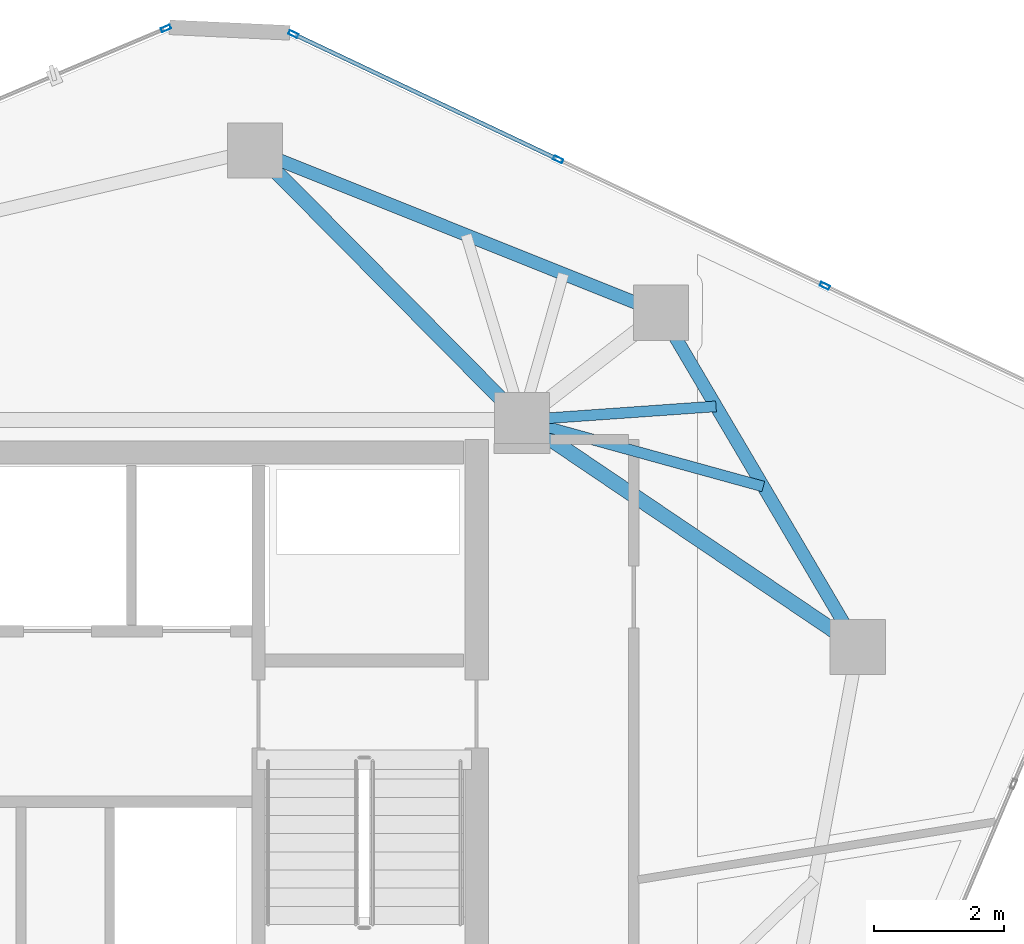
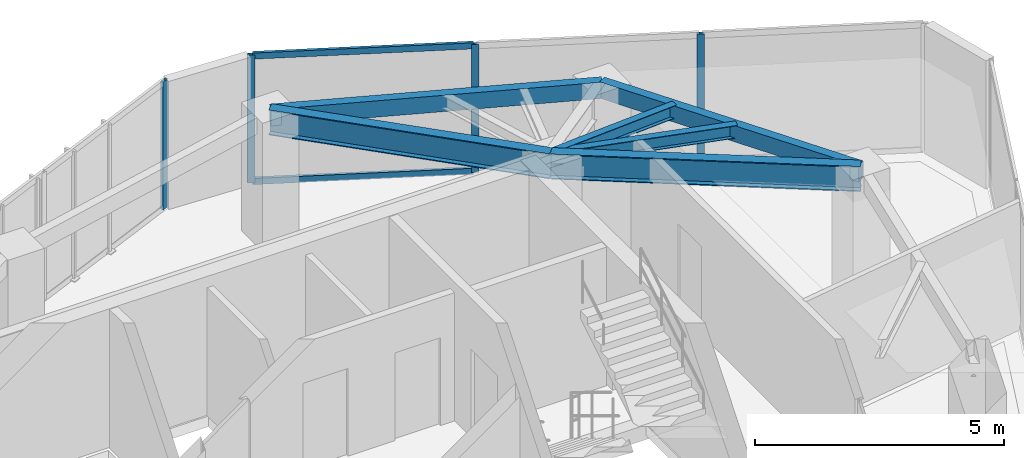
# One storey, part 14 of 20: 6 beams, 6 members, 2 elements without a shape of their own.
"""IFC4 building model written with IfcOpenShell, lengths in metres."""

from ifc_helpers import new_model, si_unit, direction, frame, origin, origin_2d, place, context, subcontext, project, spatial, hollow_rectangle, i_section, extrude, source, transform, mapped, material, layer, layer_set, material_profile, profile_set, type_object, type_shapes, element, aggregate, save


model = new_model("IFC4")

# Units and contexts
model_context = context("Model", 3, precision=1e-05, world=origin(), true_north=direction((0.0, 1.0)))
body_context = subcontext(model_context, "Body", "Model", "MODEL_VIEW")
ifc_project = project(units=[si_unit("LENGTHUNIT", "METRE"), si_unit("AREAUNIT", "SQUARE_METRE"), si_unit("VOLUMEUNIT", "CUBIC_METRE"), si_unit("PLANEANGLEUNIT", "RADIAN"), si_unit("MASSUNIT", "GRAM", prefix="KILO")], contexts=[model_context])

# Site, building, storey
site_placement = place(None, origin())
site = spatial("IfcSite", under=ifc_project, at=site_placement, CompositionType="ELEMENT")
building_placement = place(site_placement, origin())
building = spatial("IfcBuilding", under=site, at=building_placement, Name="Talar Marvaseh", CompositionType="ELEMENT")
storey_placement = place(building_placement, frame((0.0, 0.0, 274.800048828125)))
storey = spatial("IfcBuildingStorey", under=building, at=storey_placement, Name="L73", CompositionType="ELEMENT", Elevation=274.800048828125)

# Beams
ifc_material_1 = material(Name="Steel S355", Category="steel")
ifc_material_profile_1 = material_profile(ifc_material_1, hollow_rectangle(XDim=0.199951171875, YDim=0.39990234375, WallThickness=0.013916015625, at=origin_2d()), Name="RHS400x200x14")
ifc_profile_set_1 = profile_set([ifc_material_profile_1], Name="Steel S355")
beam_type_1 = type_object("IfcBeamType", Name="Zone 3 Perimeter Spandrel Beam RHS400x200x14", PredefinedType="SPANDREL", material=ifc_profile_set_1)
beam_1_placement = place(storey_placement, frame((29.18798828125, 41.052001953125, 2.93994140625), z_axis=(0.928426659475, -0.371515730456, 0.0), x_axis=(0.371515730456, 0.928426659475, 0.0)))
element("IfcBeam", 1, at=beam_1_placement, inside=storey, type_object=beam_type_1, Name="L73 Zone 3 Perimeter Spandrel Beam RHS400x200x14", PredefinedType="SPANDREL", context=body_context, shape_type="SweptSolid", body=[
    extrude(hollow_rectangle(XDim=0.199951171875, YDim=0.39990234375, WallThickness=0.013916015625, at=origin_2d()), origin(), (0.0, 0.0, 1.0), 6.73193359375),
])
beam_2_placement = place(storey_placement, frame((35.43798828125, 38.551025390625, 2.93994140625), z_axis=(0.507825587611, -0.861459907696, 0.0), x_axis=(0.861459907696, 0.507825587611, 0.0)))
element("IfcBeam", 2, at=beam_2_placement, inside=storey, type_object=beam_type_1, Name="L73 Zone 3 Perimeter Spandrel Beam RHS400x200x14", PredefinedType="SPANDREL", context=body_context, shape_type="SweptSolid", body=[
    extrude(hollow_rectangle(XDim=0.199951171875, YDim=0.39990234375, WallThickness=0.013916015625, at=origin_2d()), origin(), (0.0, 0.0, 1.0), 5.972412109375),
])
ifc_material_profile_2 = material_profile(ifc_material_1, i_section(OverallWidth=0.166015625, OverallDepth=0.31298828125, WebThickness=0.006591796875, FlangeThickness=0.01123046875, at=origin_2d()), Name="W310x45")
ifc_profile_set_2 = profile_set([ifc_material_profile_2], Name="Steel S355")
beam_type_2 = type_object("IfcBeamType", Name="Zone 3 Secondary Floor Joist W310x45", PredefinedType="JOIST", material=ifc_profile_set_2)
beam_3_placement = place(storey_placement, frame((36.287109375, 37.1103515625, 2.9833984375), z_axis=(-0.99752734531, -0.070279409208, 0.0), x_axis=(0.070279409208, -0.99752734531, 0.0)))
element("IfcBeam", 3, at=beam_3_placement, inside=storey, type_object=beam_type_2, Name="L73 Zone 3 Secondary Floor Joist W310x45", PredefinedType="JOIST", context=body_context, shape_type="SweptSolid", body=[
    extrude(i_section(OverallWidth=0.166015625, OverallDepth=0.31298828125, WebThickness=0.006591796875, FlangeThickness=0.01123046875, at=origin_2d()), origin(), (0.0, 0.0, 1.0), 2.994384765625),
])
beam_4_placement = place(storey_placement, frame((37.01513671875, 35.87548828125, 2.9833984375), z_axis=(-0.964021733175, 0.265823433818, 0.0), x_axis=(-0.265823433818, -0.964021733175, 0.0)))
element("IfcBeam", 4, at=beam_4_placement, inside=storey, type_object=beam_type_2, Name="L73 Zone 3 Secondary Floor Joist W310x45", PredefinedType="JOIST", context=body_context, shape_type="SweptSolid", body=[
    extrude(i_section(OverallWidth=0.166015625, OverallDepth=0.31298828125, WebThickness=0.006591796875, FlangeThickness=0.01123046875, at=origin_2d()), origin(), (0.0, 0.0, 1.0), 3.853759765625),
])
ifc_material_profile_3 = material_profile(ifc_material_1, i_section(OverallWidth=0.22998046875, OverallDepth=0.616943359375, WebThickness=0.01318359375, FlangeThickness=0.022216796875, at=origin_2d()), Name="W610x140")
ifc_profile_set_3 = profile_set([ifc_material_profile_3], Name="Steel S355")
beam_type_3 = type_object("IfcBeamType", Name="Zone 4 Radial Floor Girder W610x140", PredefinedType="BEAM", material=ifc_profile_set_3)
beam_5_placement = place(storey_placement, frame((29.18798828125, 41.052001953125, 2.83154296875), z_axis=(0.703672658083, -0.710524306598, 0.0), x_axis=(0.710524306598, 0.703672658083, 0.0)))
element("IfcBeam", 5, at=beam_5_placement, inside=storey, type_object=beam_type_3, Name="L73 Zone 4 Radial Floor Girder W610x140", PredefinedType="BEAM", context=body_context, shape_type="SweptSolid", body=[
    extrude(i_section(OverallWidth=0.22998046875, OverallDepth=0.616943359375, WebThickness=0.01318359375, FlangeThickness=0.022216796875, at=origin_2d()), origin(), (0.0, 0.0, 1.0), 5.84375),
])
beam_6_placement = place(storey_placement, frame((38.470947265625, 33.406005859375, 2.83154296875), z_axis=(-0.828585535277, 0.559862492698, 0.0), x_axis=(-0.559862492698, -0.828585535277, 0.0)))
element("IfcBeam", 6, at=beam_6_placement, inside=storey, type_object=beam_type_3, Name="L73 Zone 4 Radial Floor Girder W610x140", PredefinedType="BEAM", context=body_context, shape_type="SweptSolid", body=[
    extrude(i_section(OverallWidth=0.22998046875, OverallDepth=0.616943359375, WebThickness=0.01318359375, FlangeThickness=0.022216796875, at=origin_2d()), origin(), (0.0, 0.0, 1.0), 6.24072265625),
])

# Curtain wall, member
ifc_material_2 = material(Name="Architectural Aluminium", Category="aluminium")
ifc_layer = layer(ifc_material_2, 0.179931640625)
ifc_layer_set = layer_set([ifc_layer], Name="Architectural Aluminium")
curtain_wall_type = type_object("IfcCurtainWallType", Name="Unitised High-Wind Sky Curtain Wall Z4", PredefinedType="NOTDEFINED", material=ifc_layer_set)
curtain_wall_1_placement = place(storey_placement, origin())
curtain_wall_1 = element("IfcCurtainWall", 7, at=curtain_wall_1_placement, inside=storey, type_object=curtain_wall_type, Name="L73 Unitised High-Wind Sky Curtain Wall Z4", PredefinedType="NOTDEFINED")
ifc_material_profile_4 = material_profile(ifc_material_2, hollow_rectangle(XDim=0.06494140625, YDim=0.14990234375, WallThickness=0.00390625, at=origin_2d()), Name="RHS150x65x4")
ifc_profile_set_4 = profile_set([ifc_material_profile_4], Name="Architectural Aluminium")
member_type_1 = type_object("IfcMemberType", Name="Unitised Curtain Wall Slim Mullion RHS150x65x4", PredefinedType="MULLION", material=ifc_profile_set_4)
shared_shape_1 = source(origin(), body_context, "Body", "SweptSolid", [
    extrude(hollow_rectangle(XDim=0.06494140625, YDim=0.14990234375, WallThickness=0.00390625, at=origin_2d()), origin(), (0.0, 0.0, 1.0), 3.139892578125),
])
type_shapes(member_type_1, [shared_shape_1])
member_1_placement = place(storey_placement, frame((27.814208984375, 42.931396484375, 0.0), z_axis=(0.0, 0.0, 1.0), x_axis=(-0.389637585446, 0.92096826873, 0.0)))
member_1 = element("IfcMember", 8, at=member_1_placement, type_object=member_type_1, Name="CW-Z4 mullion 4", PredefinedType="MULLION", context=body_context, shape_type="MappedRepresentation", body=[
    mapped(shared_shape_1, transform((0.0, 0.0, 0.0), x_axis=(1.0, 0.0, 0.0), y_axis=(0.0, 1.0, 0.0), z_axis=(0.0, 0.0, 1.0), scale=1.0)),
])
aggregate(curtain_wall_1, [member_1])

# Curtain wall, members
curtain_wall_2_placement = place(storey_placement, origin())
curtain_wall_2 = element("IfcCurtainWall", 9, at=curtain_wall_2_placement, inside=storey, type_object=curtain_wall_type, Name="L73 Unitised High-Wind Sky Curtain Wall Z4", PredefinedType="NOTDEFINED")
member_2_placement = place(storey_placement, frame((29.777099609375, 42.843994140625, 0.0), z_axis=(0.0, 0.0, 1.0), x_axis=(0.42809044326, 0.903735897478, 0.0)))
member_2 = element("IfcMember", 10, at=member_2_placement, type_object=member_type_1, Name="CW-Z4 mullion 1", PredefinedType="MULLION", context=body_context, shape_type="MappedRepresentation", body=[
    mapped(shared_shape_1, transform((0.0, 0.0, 0.0), x_axis=(1.0, 0.0, 0.0), y_axis=(0.0, 1.0, 0.0), z_axis=(0.0, 0.0, 1.0), scale=1.0)),
])
member_3_placement = place(storey_placement, frame((33.855224609375, 40.912353515625, 0.0), z_axis=(0.0, 0.0, 1.0), x_axis=(0.42809044326, 0.903735897478, 0.0)))
member_3 = element("IfcMember", 11, at=member_3_placement, type_object=member_type_1, Name="CW-Z4 mullion 2", PredefinedType="MULLION", context=body_context, shape_type="MappedRepresentation", body=[
    mapped(shared_shape_1, transform((0.0, 0.0, 0.0), x_axis=(1.0, 0.0, 0.0), y_axis=(0.0, 1.0, 0.0), z_axis=(0.0, 0.0, 1.0), scale=1.0)),
])
member_4_placement = place(storey_placement, frame((37.962646484375, 38.966552734375, 0.0), z_axis=(0.0, 0.0, 1.0), x_axis=(0.42809044326, 0.903735897478, 0.0)))
member_4 = element("IfcMember", 12, at=member_4_placement, type_object=member_type_1, Name="CW-Z4 mullion 3", PredefinedType="MULLION", context=body_context, shape_type="MappedRepresentation", body=[
    mapped(shared_shape_1, transform((0.0, 0.0, 0.0), x_axis=(1.0, 0.0, 0.0), y_axis=(0.0, 1.0, 0.0), z_axis=(0.0, 0.0, 1.0), scale=1.0)),
])
ifc_material_profile_5 = material_profile(ifc_material_2, hollow_rectangle(XDim=0.06494140625, YDim=0.14990234375, WallThickness=0.00390625, at=origin_2d()), Name="RHS150x65x4")
ifc_profile_set_5 = profile_set([ifc_material_profile_5], Name="Architectural Aluminium")
member_type_2 = type_object("IfcMemberType", Name="Unitised Curtain Wall Slim Transom RHS150x65x4", PredefinedType="USERDEFINED", material=ifc_profile_set_5)
shared_shape_2 = source(origin(), body_context, "Body", "SweptSolid", [
    extrude(hollow_rectangle(XDim=0.06494140625, YDim=0.14990234375, WallThickness=0.00390625, at=origin_2d()), origin(), (0.0, 0.0, 1.0), 4.447265625),
])
type_shapes(member_type_2, [shared_shape_2])
member_5_placement = place(storey_placement, frame((29.806640625, 42.830078125, 0.032470703125), z_axis=(0.903743427718, -0.428074545912, 0.0), x_axis=(0.428074545912, 0.903743427718, 0.0)))
member_5 = element("IfcMember", 13, at=member_5_placement, type_object=member_type_2, Name="CW-Z4 transom 1.1", ObjectType="TRANSOM", PredefinedType="USERDEFINED", context=body_context, shape_type="MappedRepresentation", body=[
    mapped(shared_shape_2, transform((0.0, 0.0, 0.0), x_axis=(1.0, 0.0, 0.0), y_axis=(0.0, 1.0, 0.0), z_axis=(0.0, 0.0, 1.0), scale=1.0)),
])
member_6_placement = place(storey_placement, frame((29.806640625, 42.830078125, 3.107421875), z_axis=(0.903743427718, -0.428074545912, 0.0), x_axis=(0.428074545912, 0.903743427718, 0.0)))
member_6 = element("IfcMember", 14, at=member_6_placement, type_object=member_type_2, Name="CW-Z4 transom 1.2", ObjectType="TRANSOM", PredefinedType="USERDEFINED", context=body_context, shape_type="MappedRepresentation", body=[
    mapped(shared_shape_2, transform((0.0, 0.0, 0.0), x_axis=(1.0, 0.0, 0.0), y_axis=(0.0, 1.0, 0.0), z_axis=(0.0, 0.0, 1.0), scale=1.0)),
])
aggregate(curtain_wall_2, [member_2, member_3, member_4, member_5, member_6])

save(model, "model.ifc")
